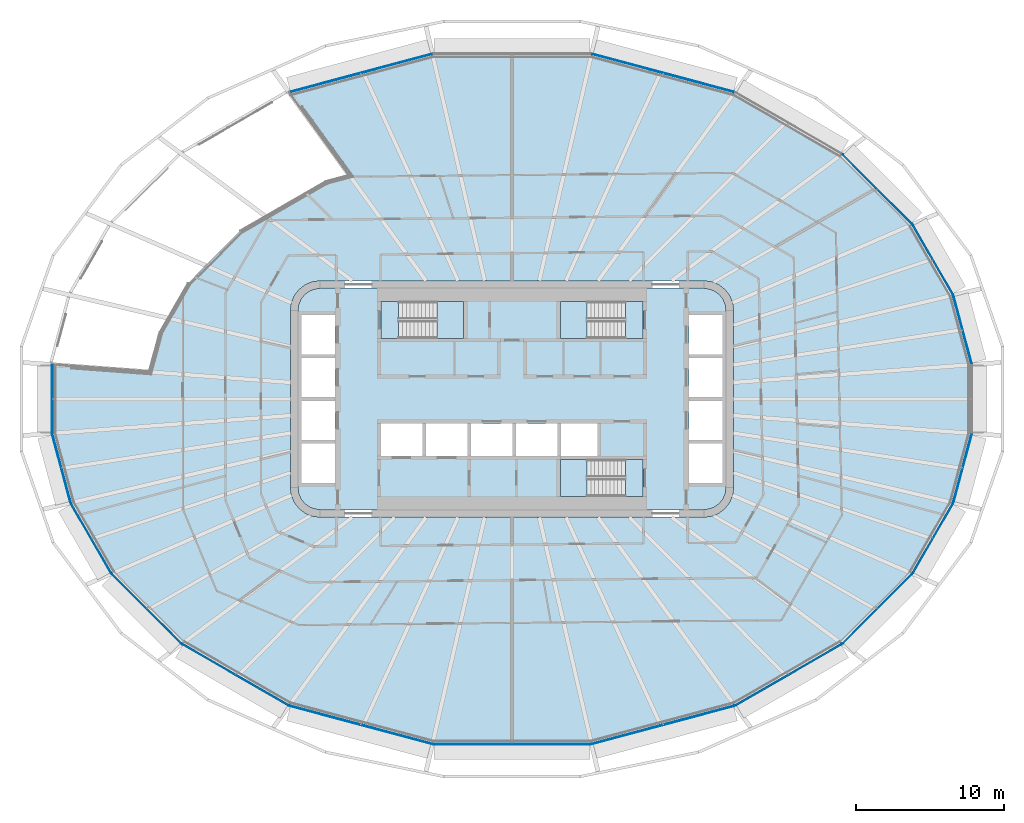
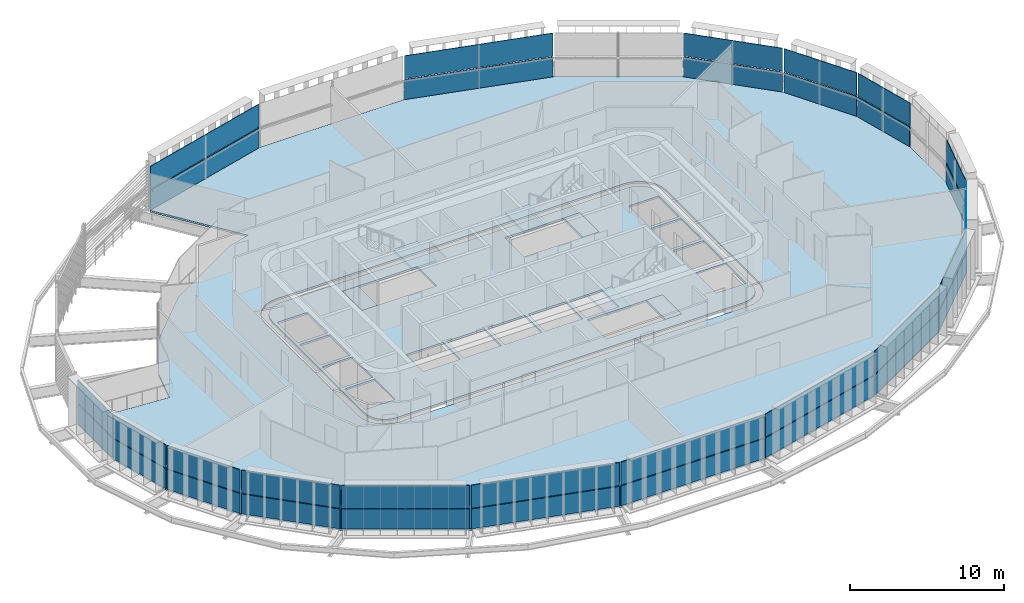
# One storey, part 10 of 23: 34 plates, 8 slabs, 20 elements without a shape of their own.
"""IFC4 building model written with IfcOpenShell, lengths in metres."""

from ifc_helpers import new_model, si_unit, direction, frame, origin, place, context, subcontext, project, spatial, polyline, outline, extrude, material, layer, layer_set, type_object, element, aggregate, save


model = new_model("IFC4")

# Units and contexts
model_context = context("Model", 3, precision=1e-05, world=origin(), true_north=direction((0.0, 1.0)))
body_context = subcontext(model_context, "Body", "Model", "MODEL_VIEW")
ifc_project = project(units=[si_unit("LENGTHUNIT", "METRE"), si_unit("AREAUNIT", "SQUARE_METRE"), si_unit("VOLUMEUNIT", "CUBIC_METRE"), si_unit("PLANEANGLEUNIT", "RADIAN"), si_unit("MASSUNIT", "GRAM", prefix="KILO")], contexts=[model_context])

# Site, building, storey
site_placement = place(None, origin())
site = spatial("IfcSite", under=ifc_project, at=site_placement, CompositionType="ELEMENT")
building_placement = place(site_placement, origin())
building = spatial("IfcBuilding", under=site, at=building_placement, Name="Sahrelin Media Tower", CompositionType="ELEMENT")
storey_placement = place(building_placement, frame((0.0, 0.0, 173.60009765625)))
storey = spatial("IfcBuildingStorey", under=building, at=storey_placement, Name="L36", CompositionType="ELEMENT", Elevation=173.60009765625)

# Slabs
ifc_material_1 = material(Name="Concrete C40/50", Category="concrete")
ifc_layer_1 = layer(ifc_material_1, 0.14990234375)
ifc_layer_set_1 = layer_set([ifc_layer_1], Name="Composite floor slab 150")
slab_type_1 = type_object("IfcSlabType", Name="Composite floor slab 150", PredefinedType="FLOOR", material=ifc_layer_set_1)
placement_1 = place(storey_placement, frame((0.0, 0.0, -0.150146484375)))
element("IfcSlab", 1, at=placement_1, inside=storey, type_object=slab_type_1, Name="Floor slab L36", PredefinedType="FLOOR", context=body_context, shape_type="SweptSolid", body=[
    extrude(outline(polyline([(29.87060546875, -7.02099609375), (31.12890625, -2.324462890625), (31.12890625, 2.324462890625), (29.87060546875, 7.02099609375), (27.10400390625, 11.812744140625), (22.349853515625, 16.56689453125), (15.09228515625, 20.757080078125), (5.391357421875, 23.3564453125), (-5.391357421875, 23.3564453125), (-15.08740234375, 20.75830078125), (-11.006103515625, 15.143310546875), (-12.591064453125, 14.71875), (-18.37109375, 11.381591796875), (-21.918701171875, 7.833984375), (-23.83203125, 4.519775390625), (-24.5517578125, 1.834228515625), (-31.128662109375, 2.32568359375), (-31.12890625, 2.324462890625), (-31.12890625, -2.324462890625), (-29.87060546875, -7.02099609375), (-27.10400390625, -11.812744140625), (-22.349853515625, -16.56689453125), (-15.09228515625, -20.757080078125), (-5.391357421875, -23.3564453125), (5.391357421875, -23.3564453125), (15.09228515625, -20.757080078125), (22.349853515625, -16.56689453125), (27.10400390625, -11.812744140625), (29.87060546875, -7.02099609375)]), holes=[polyline([(14.732177734375, 7.0), (14.931884765625, 6.517578125), (15.0, 6.0), (15.0, -6.0), (14.931884765625, -6.517578125), (14.732177734375, -7.0), (14.414306640625, -7.414306640625), (14.0, -7.732177734375), (13.517578125, -7.931884765625), (13.0, -8.0), (-13.0, -8.0), (-13.517578125, -7.931884765625), (-14.0, -7.732177734375), (-14.414306640625, -7.414306640625), (-14.732177734375, -7.0), (-14.931884765625, -6.517578125), (-15.0, -6.0), (-15.0, 6.0), (-14.931884765625, 6.517578125), (-14.732177734375, 7.0), (-14.414306640625, 7.414306640625), (-14.0, 7.732177734375), (-13.517578125, 7.931884765625), (-13.0, 8.0), (13.0, 8.0), (13.517578125, 7.931884765625), (14.0, 7.732177734375), (14.414306640625, 7.414306640625), (14.732177734375, 7.0)])]), origin(), (0.0, 0.0, 1.0), 0.150146484375),
])
ifc_layer_2 = layer(ifc_material_1, 0.14990234375)
ifc_layer_set_2 = layer_set([ifc_layer_2], Name="Core floor slab 150")
slab_type_2 = type_object("IfcSlabType", Name="Core floor slab 150", PredefinedType="FLOOR", material=ifc_layer_set_2)
element("IfcSlab", 2, at=placement_1, inside=storey, type_object=slab_type_2, Name="Core floor", PredefinedType="FLOOR", context=body_context, shape_type="SweptSolid", body=[
    extrude(outline(polyline([(-14.44482421875, 6.38720703125), (-14.5, 5.96728515625), (-14.5, -5.96728515625), (-14.44482421875, -6.38720703125), (-14.29541015625, -6.747802734375), (-14.0576171875, -7.0576171875), (-13.747802734375, -7.29541015625), (-13.38720703125, -7.44482421875), (-12.96728515625, -7.5), (12.96728515625, -7.5), (13.38720703125, -7.44482421875), (13.747802734375, -7.29541015625), (14.0576171875, -7.0576171875), (14.29541015625, -6.747802734375), (14.44482421875, -6.38720703125), (14.5, -5.96728515625), (14.5, 5.96728515625), (14.44482421875, 6.38720703125), (14.29541015625, 6.747802734375), (14.0576171875, 7.0576171875), (13.747802734375, 7.29541015625), (13.38720703125, 7.44482421875), (12.96728515625, 7.5), (-12.96728515625, 7.5), (-13.38720703125, 7.44482421875), (-13.747802734375, 7.29541015625), (-14.0576171875, 7.0576171875), (-14.29541015625, 6.747802734375), (-14.44482421875, 6.38720703125)]), holes=[polyline([(-12.0, 3.02490234375), (-12.0, 5.675048828125), (-14.25, 5.675048828125), (-14.25, 3.02490234375), (-12.0, 3.02490234375)]), polyline([(-14.25, 0.125), (-12.0, 0.125), (-12.0, 2.77490234375), (-14.25, 2.77490234375), (-14.25, 0.125)]), polyline([(-14.25, -0.125), (-14.25, -2.77490234375), (-12.0, -2.77490234375), (-12.0, -0.125), (-14.25, -0.125)]), polyline([(-12.0, -3.02490234375), (-14.25, -3.02490234375), (-14.25, -5.675048828125), (-12.0, -5.675048828125), (-12.0, -3.02490234375)]), polyline([(14.25, 3.02490234375), (14.25, 5.675048828125), (12.0, 5.675048828125), (12.0, 3.02490234375), (14.25, 3.02490234375)]), polyline([(12.0, 0.125), (14.25, 0.125), (14.25, 2.77490234375), (12.0, 2.77490234375), (12.0, 0.125)]), polyline([(12.0, -0.125), (12.0, -2.77490234375), (14.25, -2.77490234375), (14.25, -0.125), (12.0, -0.125)]), polyline([(14.25, -3.02490234375), (12.0, -3.02490234375), (12.0, -5.675048828125), (14.25, -5.675048828125), (14.25, -3.02490234375)]), polyline([(-6.074951171875, -3.85009765625), (-6.074951171875, -1.64990234375), (-8.875, -1.64990234375), (-8.875, -3.85009765625), (-6.074951171875, -3.85009765625)]), polyline([(-5.824951171875, -3.85009765625), (-3.02490234375, -3.85009765625), (-3.02490234375, -1.64990234375), (-5.824951171875, -1.64990234375), (-5.824951171875, -3.85009765625)]), polyline([(-2.77490234375, -1.64990234375), (-2.77490234375, -3.85009765625), (0.02490234375, -3.85009765625), (0.02490234375, -1.64990234375), (-2.77490234375, -1.64990234375)]), polyline([(3.074951171875, -1.64990234375), (0.27490234375, -1.64990234375), (0.27490234375, -3.85009765625), (3.074951171875, -3.85009765625), (3.074951171875, -1.64990234375)]), polyline([(5.77490234375, -3.85009765625), (5.77490234375, -1.64990234375), (3.324951171875, -1.64990234375), (3.324951171875, -3.85009765625), (5.77490234375, -3.85009765625)]), polyline([(-8.875, 6.60009765625), (-8.875, 4.10009765625), (-3.27490234375, 4.10009765625), (-3.27490234375, 6.60009765625), (-8.875, 6.60009765625)]), polyline([(3.27490234375, 4.10009765625), (8.875, 4.10009765625), (8.875, 6.60009765625), (3.27490234375, 6.60009765625), (3.27490234375, 4.10009765625)]), polyline([(3.27490234375, -4.10009765625), (3.27490234375, -6.60009765625), (8.875, -6.60009765625), (8.875, -4.10009765625), (3.27490234375, -4.10009765625)])]), origin(), (0.0, 0.0, 1.0), 0.150146484375),
])

# Curtain wall, plate
ifc_material_2 = material(Name="Champagne anodised aluminium 6063-T6", Category="aluminium")
ifc_layer_3 = layer(ifc_material_2, 0.14990234375)
ifc_layer_set_3 = layer_set([ifc_layer_3], Name="Tower ribbon curtain wall")
curtain_wall_type = type_object("IfcCurtainWallType", Name="Tower ribbon curtain wall", PredefinedType="NOTDEFINED", material=ifc_layer_set_3)
curtain_wall_1_placement = place(storey_placement, frame((30.51904296875, 4.677978515625, 0.0), z_axis=(0.0, 0.0, 1.0), x_axis=(1.0, 0.0, 0.0)))
curtain_wall_1 = element("IfcCurtainWall", 3, at=curtain_wall_1_placement, inside=storey, type_object=curtain_wall_type, Name="L36:CW:L36-01", PredefinedType="NOTDEFINED")
ifc_material_3 = material(Name="Clear low-iron glazing", Category="glass")
ifc_layer_4 = layer(ifc_material_3, 0.0439453125)
ifc_layer_set_4 = layer_set([ifc_layer_4], Name="Glazing panel 44 mm CW1B")
plate_type_1 = type_object("IfcPlateType", Name="Glazing panel 44 mm CW1B", PredefinedType="CURTAIN_PANEL", material=ifc_layer_set_4)
plate_1_placement = place(storey_placement, frame((31.1552734375, 2.380615234375, 1.6298828125), z_axis=(0.965926564578, 0.258816289756, 0.0), x_axis=(-0.258816289756, 0.965926564578, 0.0)))
plate_1 = element("IfcPlate", 4, at=plate_1_placement, type_object=plate_type_1, Name="L36:CWP2:L36-01", PredefinedType="CURTAIN_PANEL", context=body_context, shape_type="SweptSolid", body=[
    extrude(outline(polyline([(0.0, 0.0), (4.767333984375, 0.0), (4.767333984375, 1.818603515625), (0.0, 1.818603515625), (0.0, 0.0)])), origin(), (0.0, 0.0, -1.0), 0.0439453125),
])

curtain_wall_2_placement = place(storey_placement, frame((28.50439453125, 9.427001953125, 0.0), z_axis=(0.0, 0.0, 1.0), x_axis=(1.0, 0.0, 0.0)))
curtain_wall_2 = element("IfcCurtainWall", 5, at=curtain_wall_2_placement, inside=storey, type_object=curtain_wall_type, Name="L36:CW:L36-02", PredefinedType="NOTDEFINED")
plate_2_placement = place(storey_placement, frame((29.88134765625, 7.08203125, 1.6298828125), z_axis=(0.866018873051, 0.500011311391, 0.0), x_axis=(-0.500011311391, 0.866018873051, 0.0)))
plate_2 = element("IfcPlate", 6, at=plate_2_placement, type_object=plate_type_1, Name="L36:CWP2:L36-02", PredefinedType="CURTAIN_PANEL", context=body_context, shape_type="SweptSolid", body=[
    extrude(outline(polyline([(0.0, 0.0), (5.438232421875, 0.0), (5.438232421875, 1.818603515625), (0.0, 1.818603515625), (0.0, 0.0)])), origin(), (0.0, 0.0, -1.0), 0.0439453125),
])

curtain_wall_3_placement = place(storey_placement, frame((24.740966796875, 14.2041015625, 0.0), z_axis=(0.0, 0.0, 1.0), x_axis=(1.0, 0.0, 0.0)))
curtain_wall_3 = element("IfcCurtainWall", 7, at=curtain_wall_3_placement, inside=storey, type_object=curtain_wall_type, Name="L36:CW:L36-03", PredefinedType="NOTDEFINED")
plate_3_placement = place(storey_placement, frame((27.0986328125, 11.87451171875, 1.6298828125), z_axis=(0.707125196625, 0.707088365269, 0.0), x_axis=(-0.707088365269, 0.707125196625, 0.0)))
plate_3 = element("IfcPlate", 8, at=plate_3_placement, type_object=plate_type_1, Name="L36:CWP2:L36-03", PredefinedType="CURTAIN_PANEL", context=body_context, shape_type="SweptSolid", body=[
    extrude(outline(polyline([(0.0, 0.0), (6.628662109375, 0.0), (6.628662109375, 1.818603515625), (0.0, 1.818603515625), (0.0, 0.0)])), origin(), (0.0, 0.0, -1.0), 0.0439453125),
])

curtain_wall_4_placement = place(storey_placement, frame((10.2470703125, 22.076171875, 0.0), z_axis=(0.0, 0.0, 1.0), x_axis=(1.0, 0.0, 0.0)))
curtain_wall_4 = element("IfcCurtainWall", 9, at=curtain_wall_4_placement, inside=storey, type_object=curtain_wall_type, Name="L36:CW:L36-05", PredefinedType="NOTDEFINED")
plate_4_placement = place(storey_placement, frame((15.056884765625, 20.80810546875, 1.6298828125), z_axis=(0.258808049649, 0.965928772445, 0.0), x_axis=(-0.965928772445, 0.258808049649, 0.0)))
plate_4 = element("IfcPlate", 10, at=plate_4_placement, type_object=plate_type_1, Name="L36:CWP2:L36-05", PredefinedType="CURTAIN_PANEL", context=body_context, shape_type="SweptSolid", body=[
    extrude(outline(polyline([(0.0, 0.0), (9.9482421875, 0.0), (9.9482421875, 1.818603515625), (0.0, 1.818603515625), (0.0, 0.0)])), origin(), (0.0, 0.0, -1.0), 0.0439453125),
])

curtain_wall_5_placement = place(storey_placement, frame((-10.246826171875, 22.075927734375, 0.0), z_axis=(0.0, 0.0, 1.0), x_axis=(1.0, 0.0, 0.0)))
curtain_wall_5 = element("IfcCurtainWall", 11, at=curtain_wall_5_placement, inside=storey, type_object=curtain_wall_type, Name="L36:CW:L36-07", PredefinedType="NOTDEFINED")
plate_5_placement = place(storey_placement, frame((-5.447509765625, 23.3828125, 1.6298828125), z_axis=(-0.258808049649, 0.965928772445, 0.0), x_axis=(-0.965928772445, -0.258808049649, 0.0)))
plate_5 = element("IfcPlate", 12, at=plate_5_placement, type_object=plate_type_1, Name="L36:CWP2:L36-07", PredefinedType="CURTAIN_PANEL", context=body_context, shape_type="SweptSolid", body=[
    extrude(outline(polyline([(0.0, 0.0), (9.9482421875, 0.0), (9.9482421875, 1.818603515625), (0.0, 1.818603515625), (0.0, 0.0)])), origin(), (0.0, 0.0, -1.0), 0.0439453125),
])

curtain_wall_6_placement = place(storey_placement, frame((-31.14892578125, 0.0, 0.0), z_axis=(0.0, 0.0, 1.0), x_axis=(1.0, 0.0, 0.0)))
curtain_wall_6 = element("IfcCurtainWall", 13, at=curtain_wall_6_placement, inside=storey, type_object=curtain_wall_type, Name="L36:CW:L36-12", PredefinedType="NOTDEFINED")
plate_6_placement = place(storey_placement, frame((-31.1689453125, 2.277099609375, 1.6298828125), z_axis=(-1.0, 0.0, 0.0), x_axis=(0.0, -1.0, 0.0)))
plate_6 = element("IfcPlate", 14, at=plate_6_placement, type_object=plate_type_1, Name="L36:CWP2:L36-12", PredefinedType="CURTAIN_PANEL", context=body_context, shape_type="SweptSolid", body=[
    extrude(outline(polyline([(0.0, 0.0), (4.55419921875, 0.0), (4.55419921875, 1.818603515625), (0.0, 1.818603515625), (0.0, 0.0)])), origin(), (0.0, 0.0, -1.0), 0.0439453125),
])

curtain_wall_7_placement = place(storey_placement, frame((-30.51904296875, -4.677978515625, 0.0), z_axis=(0.0, 0.0, 1.0), x_axis=(1.0, 0.0, 0.0)))
curtain_wall_7 = element("IfcCurtainWall", 15, at=curtain_wall_7_placement, inside=storey, type_object=curtain_wall_type, Name="L36:CW:L36-13", PredefinedType="NOTDEFINED")
plate_7_placement = place(storey_placement, frame((-31.1552734375, -2.380615234375, 1.6298828125), z_axis=(-0.965926564578, -0.258816289756, 0.0), x_axis=(0.258816289756, -0.965926564578, 0.0)))
plate_7 = element("IfcPlate", 16, at=plate_7_placement, type_object=plate_type_1, Name="L36:CWP2:L36-13", PredefinedType="CURTAIN_PANEL", context=body_context, shape_type="SweptSolid", body=[
    extrude(outline(polyline([(0.0, 0.0), (4.767333984375, 0.0), (4.767333984375, 1.818603515625), (0.0, 1.818603515625), (0.0, 0.0)])), origin(), (0.0, 0.0, -1.0), 0.0439453125),
])

curtain_wall_8_placement = place(storey_placement, frame((-28.50439453125, -9.427001953125, 0.0), z_axis=(0.0, 0.0, 1.0), x_axis=(1.0, 0.0, 0.0)))
curtain_wall_8 = element("IfcCurtainWall", 17, at=curtain_wall_8_placement, inside=storey, type_object=curtain_wall_type, Name="L36:CW:L36-14", PredefinedType="NOTDEFINED")
plate_8_placement = place(storey_placement, frame((-29.88134765625, -7.08203125, 1.6298828125), z_axis=(-0.866018873051, -0.500011311391, 0.0), x_axis=(0.500011311391, -0.866018873051, 0.0)))
plate_8 = element("IfcPlate", 18, at=plate_8_placement, type_object=plate_type_1, Name="L36:CWP2:L36-14", PredefinedType="CURTAIN_PANEL", context=body_context, shape_type="SweptSolid", body=[
    extrude(outline(polyline([(0.0, 0.0), (5.438232421875, 0.0), (5.438232421875, 1.818603515625), (0.0, 1.818603515625), (0.0, 0.0)])), origin(), (0.0, 0.0, -1.0), 0.0439453125),
])

curtain_wall_9_placement = place(storey_placement, frame((-24.740966796875, -14.2041015625, 0.0), z_axis=(0.0, 0.0, 1.0), x_axis=(1.0, 0.0, 0.0)))
curtain_wall_9 = element("IfcCurtainWall", 19, at=curtain_wall_9_placement, inside=storey, type_object=curtain_wall_type, Name="L36:CW:L36-15", PredefinedType="NOTDEFINED")
plate_9_placement = place(storey_placement, frame((-27.0986328125, -11.87451171875, 1.6298828125), z_axis=(-0.707125196625, -0.707088365269, 0.0), x_axis=(0.707088365269, -0.707125196625, 0.0)))
plate_9 = element("IfcPlate", 20, at=plate_9_placement, type_object=plate_type_1, Name="L36:CWP2:L36-15", PredefinedType="CURTAIN_PANEL", context=body_context, shape_type="SweptSolid", body=[
    extrude(outline(polyline([(0.0, 0.0), (6.628662109375, 0.0), (6.628662109375, 1.818603515625), (0.0, 1.818603515625), (0.0, 0.0)])), origin(), (0.0, 0.0, -1.0), 0.0439453125),
])

curtain_wall_10_placement = place(storey_placement, frame((-18.73095703125, -18.67919921875, 0.0), z_axis=(0.0, 0.0, 1.0), x_axis=(1.0, 0.0, 0.0)))
curtain_wall_10 = element("IfcCurtainWall", 21, at=curtain_wall_10_placement, inside=storey, type_object=curtain_wall_type, Name="L36:CW:L36-16", PredefinedType="NOTDEFINED")
plate_10_placement = place(storey_placement, frame((-22.328857421875, -16.625244140625, 1.6298828125), z_axis=(-0.500002170987, -0.866024150361, 0.0), x_axis=(0.866024150361, -0.500002170987, 0.0)))
plate_10 = element("IfcPlate", 22, at=plate_10_placement, type_object=plate_type_1, Name="L36:CWP2:L36-16", PredefinedType="CURTAIN_PANEL", context=body_context, shape_type="SweptSolid", body=[
    extrude(outline(polyline([(0.0, 0.0), (8.28564453125, 0.0), (8.28564453125, 1.818603515625), (0.0, 1.818603515625), (0.0, 0.0)])), origin(), (0.0, 0.0, -1.0), 0.0439453125),
])

curtain_wall_11_placement = place(storey_placement, frame((-10.2470703125, -22.076171875, 0.0), z_axis=(0.0, 0.0, 1.0), x_axis=(1.0, 0.0, 0.0)))
curtain_wall_11 = element("IfcCurtainWall", 23, at=curtain_wall_11_placement, inside=storey, type_object=curtain_wall_type, Name="L36:CW:L36-17", PredefinedType="NOTDEFINED")
plate_11_placement = place(storey_placement, frame((-15.056884765625, -20.80810546875, 1.6298828125), z_axis=(-0.258808049649, -0.965928772445, 0.0), x_axis=(0.965928772445, -0.258808049649, 0.0)))
plate_11 = element("IfcPlate", 24, at=plate_11_placement, type_object=plate_type_1, Name="L36:CWP2:L36-17", PredefinedType="CURTAIN_PANEL", context=body_context, shape_type="SweptSolid", body=[
    extrude(outline(polyline([(0.0, 0.0), (9.9482421875, 0.0), (9.9482421875, 1.818603515625), (0.0, 1.818603515625), (0.0, 0.0)])), origin(), (0.0, 0.0, -1.0), 0.0439453125),
])

curtain_wall_12_placement = place(storey_placement, frame((0.0, -23.37646484375, 0.0), z_axis=(0.0, 0.0, 1.0), x_axis=(1.0, 0.0, 0.0)))
curtain_wall_12 = element("IfcCurtainWall", 25, at=curtain_wall_12_placement, inside=storey, type_object=curtain_wall_type, Name="L36:CW:L36-18", PredefinedType="NOTDEFINED")
plate_12_placement = place(storey_placement, frame((-5.343994140625, -23.396484375, 1.6298828125), z_axis=(0.0, -1.0, 0.0), x_axis=(1.0, 0.0, 0.0)))
plate_12 = element("IfcPlate", 26, at=plate_12_placement, type_object=plate_type_1, Name="L36:CWP2:L36-18", PredefinedType="CURTAIN_PANEL", context=body_context, shape_type="SweptSolid", body=[
    extrude(outline(polyline([(0.0, 0.0), (10.68798828125, 0.0), (10.68798828125, 1.818603515625), (0.0, 1.818603515625), (0.0, 0.0)])), origin(), (0.0, 0.0, -1.0), 0.0439453125),
])

curtain_wall_13_placement = place(storey_placement, frame((10.246826171875, -22.075927734375, 0.0), z_axis=(0.0, 0.0, 1.0), x_axis=(1.0, 0.0, 0.0)))
curtain_wall_13 = element("IfcCurtainWall", 27, at=curtain_wall_13_placement, inside=storey, type_object=curtain_wall_type, Name="L36:CW:L36-19", PredefinedType="NOTDEFINED")
plate_13_placement = place(storey_placement, frame((5.447509765625, -23.3828125, 1.6298828125), z_axis=(0.258808049649, -0.965928772445, 0.0), x_axis=(0.965928772445, 0.258808049649, 0.0)))
plate_13 = element("IfcPlate", 28, at=plate_13_placement, type_object=plate_type_1, Name="L36:CWP2:L36-19", PredefinedType="CURTAIN_PANEL", context=body_context, shape_type="SweptSolid", body=[
    extrude(outline(polyline([(0.0, 0.0), (9.9482421875, 0.0), (9.9482421875, 1.818603515625), (0.0, 1.818603515625), (0.0, 0.0)])), origin(), (0.0, 0.0, -1.0), 0.0439453125),
])

curtain_wall_14_placement = place(storey_placement, frame((18.73095703125, -18.67919921875, 0.0), z_axis=(0.0, 0.0, 1.0), x_axis=(1.0, 0.0, 0.0)))
curtain_wall_14 = element("IfcCurtainWall", 29, at=curtain_wall_14_placement, inside=storey, type_object=curtain_wall_type, Name="L36:CW:L36-20", PredefinedType="NOTDEFINED")
plate_14_placement = place(storey_placement, frame((15.1533203125, -20.76806640625, 1.6298828125), z_axis=(0.500002170987, -0.866024150361, 0.0), x_axis=(0.866024150361, 0.500002170987, 0.0)))
plate_14 = element("IfcPlate", 30, at=plate_14_placement, type_object=plate_type_1, Name="L36:CWP2:L36-20", PredefinedType="CURTAIN_PANEL", context=body_context, shape_type="SweptSolid", body=[
    extrude(outline(polyline([(0.0, 0.0), (8.28564453125, 0.0), (8.28564453125, 1.818603515625), (0.0, 1.818603515625), (0.0, 0.0)])), origin(), (0.0, 0.0, -1.0), 0.0439453125),
])

curtain_wall_15_placement = place(storey_placement, frame((24.740966796875, -14.2041015625, 0.0), z_axis=(0.0, 0.0, 1.0), x_axis=(1.0, 0.0, 0.0)))
curtain_wall_15 = element("IfcCurtainWall", 31, at=curtain_wall_15_placement, inside=storey, type_object=curtain_wall_type, Name="L36:CW:L36-21", PredefinedType="NOTDEFINED")
plate_15_placement = place(storey_placement, frame((22.41162109375, -16.561767578125, 1.6298828125), z_axis=(0.707125196625, -0.707088365269, 0.0), x_axis=(0.707088365269, 0.707125196625, 0.0)))
plate_15 = element("IfcPlate", 32, at=plate_15_placement, type_object=plate_type_1, Name="L36:CWP2:L36-21", PredefinedType="CURTAIN_PANEL", context=body_context, shape_type="SweptSolid", body=[
    extrude(outline(polyline([(0.0, 0.0), (6.628662109375, 0.0), (6.628662109375, 1.818603515625), (0.0, 1.818603515625), (0.0, 0.0)])), origin(), (0.0, 0.0, -1.0), 0.0439453125),
])

curtain_wall_16_placement = place(storey_placement, frame((28.50439453125, -9.427001953125, 0.0), z_axis=(0.0, 0.0, 1.0), x_axis=(1.0, 0.0, 0.0)))
curtain_wall_16 = element("IfcCurtainWall", 33, at=curtain_wall_16_placement, inside=storey, type_object=curtain_wall_type, Name="L36:CW:L36-22", PredefinedType="NOTDEFINED")
plate_16_placement = place(storey_placement, frame((27.162109375, -11.791748046875, 1.6298828125), z_axis=(0.866018873051, -0.500011311391, 0.0), x_axis=(0.500011311391, 0.866018873051, 0.0)))
plate_16 = element("IfcPlate", 34, at=plate_16_placement, type_object=plate_type_1, Name="L36:CWP2:L36-22", PredefinedType="CURTAIN_PANEL", context=body_context, shape_type="SweptSolid", body=[
    extrude(outline(polyline([(0.0, 0.0), (5.438232421875, 0.0), (5.438232421875, 1.818603515625), (0.0, 1.818603515625), (0.0, 0.0)])), origin(), (0.0, 0.0, -1.0), 0.0439453125),
])

curtain_wall_17_placement = place(storey_placement, frame((30.51904296875, -4.677978515625, 0.0), z_axis=(0.0, 0.0, 1.0), x_axis=(1.0, 0.0, 0.0)))
curtain_wall_17 = element("IfcCurtainWall", 35, at=curtain_wall_17_placement, inside=storey, type_object=curtain_wall_type, Name="L36:CW:L36-23", PredefinedType="NOTDEFINED")
plate_17_placement = place(storey_placement, frame((29.92138671875, -6.985595703125, 1.6298828125), z_axis=(0.965926564578, -0.258816289756, 0.0), x_axis=(0.258816289756, 0.965926564578, 0.0)))
plate_17 = element("IfcPlate", 36, at=plate_17_placement, type_object=plate_type_1, Name="L36:CWP2:L36-23", PredefinedType="CURTAIN_PANEL", context=body_context, shape_type="SweptSolid", body=[
    extrude(outline(polyline([(0.0, 0.0), (4.767333984375, 0.0), (4.767333984375, 1.818603515625), (0.0, 1.818603515625), (0.0, 0.0)])), origin(), (0.0, 0.0, -1.0), 0.0439453125),
])

# Plate
ifc_material_4 = material(Name="Insulated spandrel panel")
ifc_layer_5 = layer(ifc_material_4, 0.06005859375)
ifc_layer_set_5 = layer_set([ifc_layer_5], Name="Spandrel panel 60 mm CW1")
plate_type_2 = type_object("IfcPlateType", Name="Spandrel panel 60 mm CW1", PredefinedType="SHEET", material=ifc_layer_set_5)
plate_18_placement = place(storey_placement, frame((31.1552734375, 2.380615234375, 0.0), z_axis=(0.965926564578, 0.258816289756, 0.0), x_axis=(-0.258816289756, 0.965926564578, 0.0)))
plate_18 = element("IfcPlate", 37, at=plate_18_placement, type_object=plate_type_2, Name="L36:CWP1:L36-01", PredefinedType="SHEET", context=body_context, shape_type="SweptSolid", body=[
    extrude(outline(polyline([(0.0, 0.0), (4.767333984375, 0.0), (4.767333984375, 1.56982421875), (0.0, 1.56982421875), (0.0, 0.0)])), origin(), (0.0, 0.0, -1.0), 0.06005859375),
])

aggregate(curtain_wall_1, [plate_18, plate_1])

plate_19_placement = place(storey_placement, frame((29.88134765625, 7.08203125, 0.0), z_axis=(0.866018873051, 0.500011311391, 0.0), x_axis=(-0.500011311391, 0.866018873051, 0.0)))
plate_19 = element("IfcPlate", 38, at=plate_19_placement, type_object=plate_type_2, Name="L36:CWP1:L36-02", PredefinedType="SHEET", context=body_context, shape_type="SweptSolid", body=[
    extrude(outline(polyline([(0.0, 0.0), (5.438232421875, 0.0), (5.438232421875, 1.56982421875), (0.0, 1.56982421875), (0.0, 0.0)])), origin(), (0.0, 0.0, -1.0), 0.06005859375),
])

aggregate(curtain_wall_2, [plate_19, plate_2])

plate_20_placement = place(storey_placement, frame((27.0986328125, 11.87451171875, 0.0), z_axis=(0.707125196625, 0.707088365269, 0.0), x_axis=(-0.707088365269, 0.707125196625, 0.0)))
plate_20 = element("IfcPlate", 39, at=plate_20_placement, type_object=plate_type_2, Name="L36:CWP1:L36-03", PredefinedType="SHEET", context=body_context, shape_type="SweptSolid", body=[
    extrude(outline(polyline([(0.0, 0.0), (6.628662109375, 0.0), (6.628662109375, 1.56982421875), (0.0, 1.56982421875), (0.0, 0.0)])), origin(), (0.0, 0.0, -1.0), 0.06005859375),
])

aggregate(curtain_wall_3, [plate_20, plate_3])

plate_21_placement = place(storey_placement, frame((15.056884765625, 20.80810546875, 0.0), z_axis=(0.258808049649, 0.965928772445, 0.0), x_axis=(-0.965928772445, 0.258808049649, 0.0)))
plate_21 = element("IfcPlate", 40, at=plate_21_placement, type_object=plate_type_2, Name="L36:CWP1:L36-05", PredefinedType="SHEET", context=body_context, shape_type="SweptSolid", body=[
    extrude(outline(polyline([(0.0, 0.0), (9.9482421875, 0.0), (9.9482421875, 1.56982421875), (0.0, 1.56982421875), (0.0, 0.0)])), origin(), (0.0, 0.0, -1.0), 0.06005859375),
])

aggregate(curtain_wall_4, [plate_21, plate_4])

plate_22_placement = place(storey_placement, frame((-5.447509765625, 23.3828125, 0.0), z_axis=(-0.258808049649, 0.965928772445, 0.0), x_axis=(-0.965928772445, -0.258808049649, 0.0)))
plate_22 = element("IfcPlate", 41, at=plate_22_placement, type_object=plate_type_2, Name="L36:CWP1:L36-07", PredefinedType="SHEET", context=body_context, shape_type="SweptSolid", body=[
    extrude(outline(polyline([(0.0, 0.0), (9.9482421875, 0.0), (9.9482421875, 1.56982421875), (0.0, 1.56982421875), (0.0, 0.0)])), origin(), (0.0, 0.0, -1.0), 0.06005859375),
])

aggregate(curtain_wall_5, [plate_22, plate_5])

plate_23_placement = place(storey_placement, frame((-31.1689453125, 2.277099609375, 0.0), z_axis=(-1.0, 0.0, 0.0), x_axis=(0.0, -1.0, 0.0)))
plate_23 = element("IfcPlate", 42, at=plate_23_placement, type_object=plate_type_2, Name="L36:CWP1:L36-12", PredefinedType="SHEET", context=body_context, shape_type="SweptSolid", body=[
    extrude(outline(polyline([(0.0, 0.0), (4.55419921875, 0.0), (4.55419921875, 1.56982421875), (0.0, 1.56982421875), (0.0, 0.0)])), origin(), (0.0, 0.0, -1.0), 0.06005859375),
])

aggregate(curtain_wall_6, [plate_23, plate_6])

plate_24_placement = place(storey_placement, frame((-31.1552734375, -2.380615234375, 0.0), z_axis=(-0.965926564578, -0.258816289756, 0.0), x_axis=(0.258816289756, -0.965926564578, 0.0)))
plate_24 = element("IfcPlate", 43, at=plate_24_placement, type_object=plate_type_2, Name="L36:CWP1:L36-13", PredefinedType="SHEET", context=body_context, shape_type="SweptSolid", body=[
    extrude(outline(polyline([(0.0, 0.0), (4.767333984375, 0.0), (4.767333984375, 1.56982421875), (0.0, 1.56982421875), (0.0, 0.0)])), origin(), (0.0, 0.0, -1.0), 0.06005859375),
])

aggregate(curtain_wall_7, [plate_24, plate_7])

plate_25_placement = place(storey_placement, frame((-29.88134765625, -7.08203125, 0.0), z_axis=(-0.866018873051, -0.500011311391, 0.0), x_axis=(0.500011311391, -0.866018873051, 0.0)))
plate_25 = element("IfcPlate", 44, at=plate_25_placement, type_object=plate_type_2, Name="L36:CWP1:L36-14", PredefinedType="SHEET", context=body_context, shape_type="SweptSolid", body=[
    extrude(outline(polyline([(0.0, 0.0), (5.438232421875, 0.0), (5.438232421875, 1.56982421875), (0.0, 1.56982421875), (0.0, 0.0)])), origin(), (0.0, 0.0, -1.0), 0.06005859375),
])

aggregate(curtain_wall_8, [plate_25, plate_8])

plate_26_placement = place(storey_placement, frame((-27.0986328125, -11.87451171875, 0.0), z_axis=(-0.707125196625, -0.707088365269, 0.0), x_axis=(0.707088365269, -0.707125196625, 0.0)))
plate_26 = element("IfcPlate", 45, at=plate_26_placement, type_object=plate_type_2, Name="L36:CWP1:L36-15", PredefinedType="SHEET", context=body_context, shape_type="SweptSolid", body=[
    extrude(outline(polyline([(0.0, 0.0), (6.628662109375, 0.0), (6.628662109375, 1.56982421875), (0.0, 1.56982421875), (0.0, 0.0)])), origin(), (0.0, 0.0, -1.0), 0.06005859375),
])

aggregate(curtain_wall_9, [plate_26, plate_9])

plate_27_placement = place(storey_placement, frame((-22.328857421875, -16.625244140625, 0.0), z_axis=(-0.500002170987, -0.866024150361, 0.0), x_axis=(0.866024150361, -0.500002170987, 0.0)))
plate_27 = element("IfcPlate", 46, at=plate_27_placement, type_object=plate_type_2, Name="L36:CWP1:L36-16", PredefinedType="SHEET", context=body_context, shape_type="SweptSolid", body=[
    extrude(outline(polyline([(0.0, 0.0), (8.28564453125, 0.0), (8.28564453125, 1.56982421875), (0.0, 1.56982421875), (0.0, 0.0)])), origin(), (0.0, 0.0, -1.0), 0.06005859375),
])

aggregate(curtain_wall_10, [plate_27, plate_10])

plate_28_placement = place(storey_placement, frame((-15.056884765625, -20.80810546875, 0.0), z_axis=(-0.258808049649, -0.965928772445, 0.0), x_axis=(0.965928772445, -0.258808049649, 0.0)))
plate_28 = element("IfcPlate", 47, at=plate_28_placement, type_object=plate_type_2, Name="L36:CWP1:L36-17", PredefinedType="SHEET", context=body_context, shape_type="SweptSolid", body=[
    extrude(outline(polyline([(0.0, 0.0), (9.9482421875, 0.0), (9.9482421875, 1.56982421875), (0.0, 1.56982421875), (0.0, 0.0)])), origin(), (0.0, 0.0, -1.0), 0.06005859375),
])

aggregate(curtain_wall_11, [plate_28, plate_11])

plate_29_placement = place(storey_placement, frame((-5.343994140625, -23.396484375, 0.0), z_axis=(0.0, -1.0, 0.0), x_axis=(1.0, 0.0, 0.0)))
plate_29 = element("IfcPlate", 48, at=plate_29_placement, type_object=plate_type_2, Name="L36:CWP1:L36-18", PredefinedType="SHEET", context=body_context, shape_type="SweptSolid", body=[
    extrude(outline(polyline([(0.0, 0.0), (10.68798828125, 0.0), (10.68798828125, 1.56982421875), (0.0, 1.56982421875), (0.0, 0.0)])), origin(), (0.0, 0.0, -1.0), 0.06005859375),
])

aggregate(curtain_wall_12, [plate_29, plate_12])

plate_30_placement = place(storey_placement, frame((5.447509765625, -23.3828125, 0.0), z_axis=(0.258808049649, -0.965928772445, 0.0), x_axis=(0.965928772445, 0.258808049649, 0.0)))
plate_30 = element("IfcPlate", 49, at=plate_30_placement, type_object=plate_type_2, Name="L36:CWP1:L36-19", PredefinedType="SHEET", context=body_context, shape_type="SweptSolid", body=[
    extrude(outline(polyline([(0.0, 0.0), (9.9482421875, 0.0), (9.9482421875, 1.56982421875), (0.0, 1.56982421875), (0.0, 0.0)])), origin(), (0.0, 0.0, -1.0), 0.06005859375),
])

aggregate(curtain_wall_13, [plate_30, plate_13])

plate_31_placement = place(storey_placement, frame((15.1533203125, -20.76806640625, 0.0), z_axis=(0.500002170987, -0.866024150361, 0.0), x_axis=(0.866024150361, 0.500002170987, 0.0)))
plate_31 = element("IfcPlate", 50, at=plate_31_placement, type_object=plate_type_2, Name="L36:CWP1:L36-20", PredefinedType="SHEET", context=body_context, shape_type="SweptSolid", body=[
    extrude(outline(polyline([(0.0, 0.0), (8.28564453125, 0.0), (8.28564453125, 1.56982421875), (0.0, 1.56982421875), (0.0, 0.0)])), origin(), (0.0, 0.0, -1.0), 0.06005859375),
])

aggregate(curtain_wall_14, [plate_31, plate_14])

plate_32_placement = place(storey_placement, frame((22.41162109375, -16.561767578125, 0.0), z_axis=(0.707125196625, -0.707088365269, 0.0), x_axis=(0.707088365269, 0.707125196625, 0.0)))
plate_32 = element("IfcPlate", 51, at=plate_32_placement, type_object=plate_type_2, Name="L36:CWP1:L36-21", PredefinedType="SHEET", context=body_context, shape_type="SweptSolid", body=[
    extrude(outline(polyline([(0.0, 0.0), (6.628662109375, 0.0), (6.628662109375, 1.56982421875), (0.0, 1.56982421875), (0.0, 0.0)])), origin(), (0.0, 0.0, -1.0), 0.06005859375),
])

aggregate(curtain_wall_15, [plate_32, plate_15])

plate_33_placement = place(storey_placement, frame((27.162109375, -11.791748046875, 0.0), z_axis=(0.866018873051, -0.500011311391, 0.0), x_axis=(0.500011311391, 0.866018873051, 0.0)))
plate_33 = element("IfcPlate", 52, at=plate_33_placement, type_object=plate_type_2, Name="L36:CWP1:L36-22", PredefinedType="SHEET", context=body_context, shape_type="SweptSolid", body=[
    extrude(outline(polyline([(0.0, 0.0), (5.438232421875, 0.0), (5.438232421875, 1.56982421875), (0.0, 1.56982421875), (0.0, 0.0)])), origin(), (0.0, 0.0, -1.0), 0.06005859375),
])

aggregate(curtain_wall_16, [plate_33, plate_16])

plate_34_placement = place(storey_placement, frame((29.92138671875, -6.985595703125, 0.0), z_axis=(0.965926564578, -0.258816289756, 0.0), x_axis=(0.258816289756, 0.965926564578, 0.0)))
plate_34 = element("IfcPlate", 53, at=plate_34_placement, type_object=plate_type_2, Name="L36:CWP1:L36-23", PredefinedType="SHEET", context=body_context, shape_type="SweptSolid", body=[
    extrude(outline(polyline([(0.0, 0.0), (4.767333984375, 0.0), (4.767333984375, 1.56982421875), (0.0, 1.56982421875), (0.0, 0.0)])), origin(), (0.0, 0.0, -1.0), 0.06005859375),
])

aggregate(curtain_wall_17, [plate_34, plate_17])

# Stair, slabs
stair_type = type_object("IfcStairType", Name="Exit stair 1200", PredefinedType="HALF_TURN_STAIR", material=ifc_material_1)
placement_2 = place(storey_placement, origin())
stair_1 = element("IfcStair", 54, at=placement_2, inside=storey, type_object=stair_type, Name="L36 Exit stair ST1", PredefinedType="HALF_TURN_STAIR")
ifc_layer_6 = layer(ifc_material_1, 0.199951171875)
ifc_layer_set_6 = layer_set([ifc_layer_6], Name="Stair landing 200")
slab_type_3 = type_object("IfcSlabType", Name="Stair landing 200", PredefinedType="LANDING", material=ifc_layer_set_6)
placement_3 = place(storey_placement, frame((0.0, 0.0, 1.7998046875)))
slab_3 = element("IfcSlab", 55, at=placement_3, type_object=slab_type_3, Name="ST1 landing 1", PredefinedType="LANDING", context=body_context, shape_type="SweptSolid", body=[
    extrude(outline(polyline([(-5.074951171875, 4.10009765625), (-3.27490234375, 4.10009765625), (-3.27490234375, 6.60009765625), (-5.074951171875, 6.60009765625), (-5.074951171875, 4.10009765625)])), origin(), (0.0, 0.0, 1.0), 0.2001953125),
])
placement_4 = place(storey_placement, frame((0.0, 0.0, -0.2001953125)))
slab_4 = element("IfcSlab", 56, at=placement_4, type_object=slab_type_3, Name="ST1 landing 2", PredefinedType="LANDING", context=body_context, shape_type="SweptSolid", body=[
    extrude(outline(polyline([(-8.875, 4.10009765625), (-7.675048828125, 4.10009765625), (-7.675048828125, 6.60009765625), (-8.875, 6.60009765625), (-8.875, 4.10009765625)])), origin(), (0.0, 0.0, 1.0), 0.2001953125),
])
aggregate(stair_1, [slab_3, slab_4])

stair_2 = element("IfcStair", 57, at=placement_2, inside=storey, type_object=stair_type, Name="L36 Exit stair ST3", PredefinedType="HALF_TURN_STAIR")
slab_5 = element("IfcSlab", 58, at=placement_3, type_object=slab_type_3, Name="ST3 landing 1", PredefinedType="LANDING", context=body_context, shape_type="SweptSolid", body=[
    extrude(outline(polyline([(5.074951171875, 6.60009765625), (3.27490234375, 6.60009765625), (3.27490234375, 4.10009765625), (5.074951171875, 4.10009765625), (5.074951171875, 6.60009765625)])), origin(), (0.0, 0.0, 1.0), 0.2001953125),
])
slab_6 = element("IfcSlab", 59, at=placement_4, type_object=slab_type_3, Name="ST3 landing 2", PredefinedType="LANDING", context=body_context, shape_type="SweptSolid", body=[
    extrude(outline(polyline([(8.875, 6.60009765625), (7.675048828125, 6.60009765625), (7.675048828125, 4.10009765625), (8.875, 4.10009765625), (8.875, 6.60009765625)])), origin(), (0.0, 0.0, 1.0), 0.2001953125),
])
aggregate(stair_2, [slab_5, slab_6])

stair_3 = element("IfcStair", 60, at=placement_2, inside=storey, type_object=stair_type, Name="L36 Exit stair ST2", PredefinedType="HALF_TURN_STAIR")
slab_7 = element("IfcSlab", 61, at=placement_3, type_object=slab_type_3, Name="ST2 landing 1", PredefinedType="LANDING", context=body_context, shape_type="SweptSolid", body=[
    extrude(outline(polyline([(5.074951171875, -4.10009765625), (3.27490234375, -4.10009765625), (3.27490234375, -6.60009765625), (5.074951171875, -6.60009765625), (5.074951171875, -4.10009765625)])), origin(), (0.0, 0.0, 1.0), 0.2001953125),
])
slab_8 = element("IfcSlab", 62, at=placement_4, type_object=slab_type_3, Name="ST2 landing 2", PredefinedType="LANDING", context=body_context, shape_type="SweptSolid", body=[
    extrude(outline(polyline([(8.875, -4.10009765625), (7.675048828125, -4.10009765625), (7.675048828125, -6.60009765625), (8.875, -6.60009765625), (8.875, -4.10009765625)])), origin(), (0.0, 0.0, 1.0), 0.2001953125),
])
aggregate(stair_3, [slab_7, slab_8])

save(model, "model.ifc")
